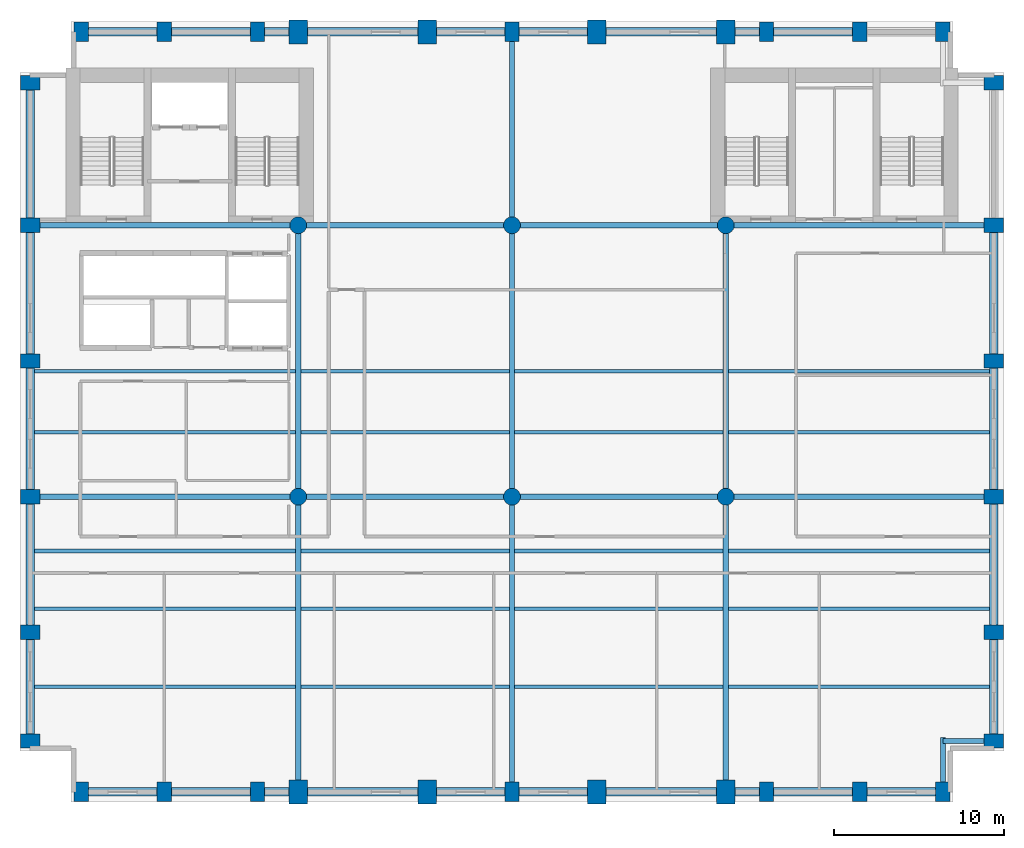
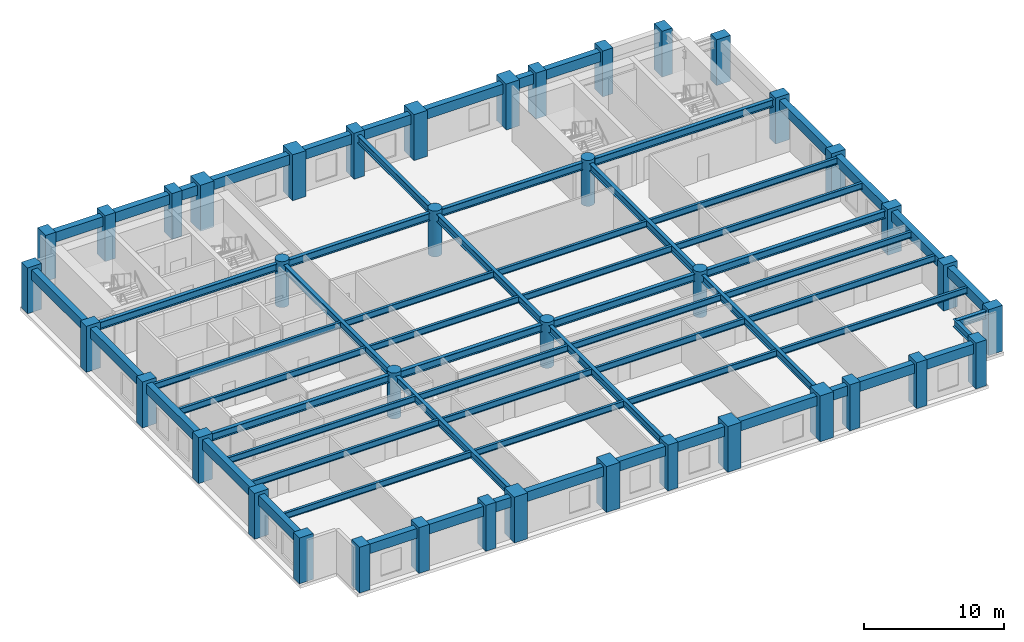
# One storey, part 1 of 8: 65 beams, 40 columns.
"""IFC4 building model written with IfcOpenShell, lengths in metres."""

from ifc_helpers import new_model, si_unit, direction, frame, origin, origin_2d, place, context, subcontext, project, spatial, rectangle, circle, i_section, extrude, material, material_profile, profile_set, type_object, element, save


model = new_model("IFC4")

# Units and contexts
model_context = context("Model", 3, precision=1e-05, world=origin(), true_north=direction((0.0, 1.0)))
body_context = subcontext(model_context, "Body", "Model", "MODEL_VIEW")
ifc_project = project(units=[si_unit("LENGTHUNIT", "METRE"), si_unit("AREAUNIT", "SQUARE_METRE"), si_unit("VOLUMEUNIT", "CUBIC_METRE"), si_unit("PLANEANGLEUNIT", "RADIAN"), si_unit("MASSUNIT", "GRAM", prefix="KILO")], contexts=[model_context])

# Site, building, storey
site_placement = place(None, origin())
site = spatial("IfcSite", under=ifc_project, at=site_placement, CompositionType="ELEMENT")
building_placement = place(site_placement, origin())
building = spatial("IfcBuilding", under=site, at=building_placement, Name="Sulina Concourse Tower", CompositionType="ELEMENT")
storey_placement = place(building_placement, frame((0.0, 0.0, 104.60009765625)))
storey = spatial("IfcBuildingStorey", under=building, at=storey_placement, Name="L25", CompositionType="ELEMENT", Elevation=104.60009765625)

# Columns
ifc_material_1 = material(Name="Concrete C60/75", Category="concrete")
ifc_material_profile_1 = material_profile(ifc_material_1, circle(Radius=0.5, at=origin_2d()), Name="RC D1000")
ifc_profile_set_1 = profile_set([ifc_material_profile_1], Name="Concrete C60/75")
column_type_1 = type_object("IfcColumnType", Name="Lower Interior Circular Column D1000", PredefinedType="COLUMN", material=ifc_profile_set_1)
for number, where, z_axis, x_axis, name in (
    (1, (16.39990234375, 18.0, 0.0), (0.0, 0.0, 1.0), (1.0, 0.0, 0.0), "L25 structural column IC-M-164"),
    (2, (16.39990234375, 34.0, 0.0), (0.0, 0.0, 1.0), (1.0, 0.0, 0.0), "L25 structural column IC-N-164"),
    (3, (29.0, 18.0, 0.0), (0.0, 0.0, 1.0), (1.0, 0.0, 0.0), "L25 structural column IC-M-290"),
    (4, (29.0, 34.0, 0.0), (0.0, 0.0, 1.0), (1.0, 0.0, 0.0), "L25 structural column IC-N-290"),
    (5, (41.60009765625, 18.0, 0.0), (0.0, 0.0, 1.0), (1.0, 0.0, 0.0), "L25 structural column IC-M-416"),
    (6, (41.60009765625, 34.0, 0.0), (0.0, 0.0, 1.0), (1.0, 0.0, 0.0), "L25 structural column IC-N-416"),
):
    element("IfcColumn", number, at=place(storey_placement, frame(where, z_axis=z_axis, x_axis=x_axis)), inside=storey, type_object=column_type_1, Name=name, PredefinedType="COLUMN", context=body_context, shape_type="SweptSolid", body=[
        extrude(circle(Radius=0.5, at=origin_2d()), origin(), (0.0, 0.0, 1.0), 4.0),
    ])
ifc_material_2 = material(Name="Concrete C60/75", Category="concrete")
ifc_material_profile_2 = material_profile(ifc_material_2, rectangle(XDim=1.10009765625, YDim=1.39990234375, at=origin_2d()), Name="RC 1100x1400")
ifc_profile_set_2 = profile_set([ifc_material_profile_2], Name="Concrete C60/75")
column_type_2 = type_object("IfcColumnType", Name="Mid-Rise Portal Column 1100x1400", PredefinedType="COLUMN", material=ifc_profile_set_2)
for number, where, z_axis, x_axis, name in (
    (7, (16.39990234375, 0.60009765625, 0.0), (0.0, 0.0, 1.0), (1.0, 0.0, 0.0), "L25 structural column TP-S-164"),
    (8, (16.39990234375, 45.39990234375, 0.0), (0.0, 0.0, 1.0), (1.0, 0.0, 0.0), "L25 structural column TP-N-164"),
    (9, (24.0, 0.60009765625, 0.0), (0.0, 0.0, 1.0), (1.0, 0.0, 0.0), "L25 structural column TP-S-240"),
    (10, (24.0, 45.39990234375, 0.0), (0.0, 0.0, 1.0), (1.0, 0.0, 0.0), "L25 structural column TP-N-240"),
    (11, (34.0, 0.60009765625, 0.0), (0.0, 0.0, 1.0), (1.0, 0.0, 0.0), "L25 structural column TP-S-340"),
    (12, (34.0, 45.39990234375, 0.0), (0.0, 0.0, 1.0), (1.0, 0.0, 0.0), "L25 structural column TP-N-340"),
    (13, (41.60009765625, 0.60009765625, 0.0), (0.0, 0.0, 1.0), (1.0, 0.0, 0.0), "L25 structural column TP-S-416"),
    (14, (41.60009765625, 45.39990234375, 0.0), (0.0, 0.0, 1.0), (1.0, 0.0, 0.0), "L25 structural column TP-N-416"),
):
    element("IfcColumn", number, at=place(storey_placement, frame(where, z_axis=z_axis, x_axis=x_axis)), inside=storey, type_object=column_type_2, Name=name, PredefinedType="COLUMN", context=body_context, shape_type="SweptSolid", body=[
        extrude(rectangle(XDim=1.10009765625, YDim=1.39990234375, at=origin_2d()), origin(), (0.0, 0.0, 1.0), 4.0),
    ])
ifc_material_3 = material(Name="Precast concrete C60/75", Category="concrete")
ifc_material_profile_3 = material_profile(ifc_material_3, rectangle(XDim=0.85009765625, YDim=1.14990234375, at=origin_2d()), Name="PC 850x1150")
ifc_profile_set_3 = profile_set([ifc_material_profile_3], Name="Precast concrete C60/75")
column_type_3 = type_object("IfcColumnType", Name="Precast Tube Pier Zone 2 850x1150", PredefinedType="COLUMN", material=ifc_profile_set_3)
for number, where, z_axis, x_axis, name in (
    (15, (3.60009765625, 0.60009765625, 0.0), (0.0, 0.0, 1.0), (1.0, 0.0, 0.0), "L25 structural column TP-S-36"),
    (16, (3.60009765625, 45.39990234375, 0.0), (0.0, 0.0, 1.0), (1.0, 0.0, 0.0), "L25 structural column TP-N-36"),
    (17, (8.5, 0.60009765625, 0.0), (0.0, 0.0, 1.0), (1.0, 0.0, 0.0), "L25 structural column TP-S-85"),
    (18, (8.5, 45.39990234375, 0.0), (0.0, 0.0, 1.0), (1.0, 0.0, 0.0), "L25 structural column TP-N-85"),
    (19, (14.0, 0.60009765625, 0.0), (0.0, 0.0, 1.0), (1.0, 0.0, 0.0), "L25 structural column TP-S-140"),
    (20, (14.0, 45.39990234375, 0.0), (0.0, 0.0, 1.0), (1.0, 0.0, 0.0), "L25 structural column TP-N-140"),
    (21, (29.0, 0.60009765625, 0.0), (0.0, 0.0, 1.0), (1.0, 0.0, 0.0), "L25 structural column TP-S-290"),
    (22, (29.0, 45.39990234375, 0.0), (0.0, 0.0, 1.0), (1.0, 0.0, 0.0), "L25 structural column TP-N-290"),
    (23, (44.0, 0.60009765625, 0.0), (0.0, 0.0, 1.0), (1.0, 0.0, 0.0), "L25 structural column TP-S-440"),
    (24, (44.0, 45.39990234375, 0.0), (0.0, 0.0, 1.0), (1.0, 0.0, 0.0), "L25 structural column TP-N-440"),
    (25, (49.5, 0.60009765625, 0.0), (0.0, 0.0, 1.0), (1.0, 0.0, 0.0), "L25 structural column TP-S-495"),
    (26, (49.5, 45.39990234375, 0.0), (0.0, 0.0, 1.0), (1.0, 0.0, 0.0), "L25 structural column TP-N-495"),
    (27, (54.39990234375, 0.60009765625, 0.0), (0.0, 0.0, 1.0), (1.0, 0.0, 0.0), "L25 structural column TP-S-544"),
    (28, (54.39990234375, 45.39990234375, 0.0), (0.0, 0.0, 1.0), (1.0, 0.0, 0.0), "L25 structural column TP-N-544"),
    (29, (0.60009765625, 3.60009765625, 0.0), (0.0, 0.0, 1.0), (0.0, 1.0, 0.0), "L25 structural column TP-W-36"),
    (30, (57.39990234375, 3.60009765625, 0.0), (0.0, 0.0, 1.0), (0.0, 1.0, 0.0), "L25 structural column TP-E-36"),
    (31, (0.60009765625, 10.0, 0.0), (0.0, 0.0, 1.0), (0.0, 1.0, 0.0), "L25 structural column TP-W-100"),
    (32, (57.39990234375, 10.0, 0.0), (0.0, 0.0, 1.0), (0.0, 1.0, 0.0), "L25 structural column TP-E-100"),
    (33, (0.60009765625, 18.0, 0.0), (0.0, 0.0, 1.0), (0.0, 1.0, 0.0), "L25 structural column TP-W-180"),
    (34, (57.39990234375, 18.0, 0.0), (0.0, 0.0, 1.0), (0.0, 1.0, 0.0), "L25 structural column TP-E-180"),
    (35, (0.60009765625, 26.0, 0.0), (0.0, 0.0, 1.0), (0.0, 1.0, 0.0), "L25 structural column TP-W-260"),
    (36, (57.39990234375, 26.0, 0.0), (0.0, 0.0, 1.0), (0.0, 1.0, 0.0), "L25 structural column TP-E-260"),
    (37, (0.60009765625, 34.0, 0.0), (0.0, 0.0, 1.0), (0.0, 1.0, 0.0), "L25 structural column TP-W-340"),
    (38, (57.39990234375, 34.0, 0.0), (0.0, 0.0, 1.0), (0.0, 1.0, 0.0), "L25 structural column TP-E-340"),
    (39, (0.60009765625, 42.39990234375, 0.0), (0.0, 0.0, 1.0), (0.0, 1.0, 0.0), "L25 structural column TP-W-424"),
    (40, (57.39990234375, 42.39990234375, 0.0), (0.0, 0.0, 1.0), (0.0, 1.0, 0.0), "L25 structural column TP-E-424"),
):
    element("IfcColumn", number, at=place(storey_placement, frame(where, z_axis=z_axis, x_axis=x_axis)), inside=storey, type_object=column_type_3, Name=name, PredefinedType="COLUMN", context=body_context, shape_type="SweptSolid", body=[
        extrude(rectangle(XDim=0.85009765625, YDim=1.14990234375, at=origin_2d()), origin(), (0.0, 0.0, 1.0), 4.0),
    ])

# Beams
ifc_material_4 = material(Name="Steel S355", Category="steel")
ifc_material_profile_4 = material_profile(ifc_material_4, i_section(OverallWidth=0.2099609375, OverallDepth=0.550048828125, WebThickness=0.010986328125, FlangeThickness=0.01708984375, at=origin_2d()), Name="IPE 550")
ifc_profile_set_4 = profile_set([ifc_material_profile_4], Name="Steel S355")
beam_type_1 = type_object("IfcBeamType", Name="Composite Floor Joist IPE550", PredefinedType="JOIST", material=ifc_profile_set_4)
beam_1_placement = place(storey_placement, frame((0.85009765625, 6.800048828125, 3.449951171875), z_axis=(1.0, 0.0, 0.0), x_axis=(0.0, 1.0, 0.0)))
element("IfcBeam", 41, at=beam_1_placement, inside=storey, type_object=beam_type_1, Name="FJ-J06-1-L25", PredefinedType="JOIST", context=body_context, shape_type="SweptSolid", body=[
    extrude(i_section(OverallWidth=0.2099609375, OverallDepth=0.550048828125, WebThickness=0.010986328125, FlangeThickness=0.01708984375, at=origin_2d()), origin(), (0.0, 0.0, 1.0), 15.39990234375),
])
for number, where, z_axis, x_axis, name in (
    (42, (16.550048828125, 6.800048828125, 3.449951171875), (1.0, 0.0, 0.0), (0.0, 1.0, 0.0), "FJ-J06-2-L25"),
    (43, (29.14990234375, 6.800048828125, 3.449951171875), (1.0, 0.0, 0.0), (0.0, 1.0, 0.0), "FJ-J06-3-L25"),
):
    element("IfcBeam", number, at=place(storey_placement, frame(where, z_axis=z_axis, x_axis=x_axis)), inside=storey, type_object=beam_type_1, Name=name, PredefinedType="JOIST", context=body_context, shape_type="SweptSolid", body=[
        extrude(i_section(OverallWidth=0.2099609375, OverallDepth=0.550048828125, WebThickness=0.010986328125, FlangeThickness=0.01708984375, at=origin_2d()), origin(), (0.0, 0.0, 1.0), 12.300048828125),
    ])
for number, where, z_axis, x_axis, name in (
    (44, (41.75, 6.800048828125, 3.449951171875), (1.0, 0.0, 0.0), (0.0, 1.0, 0.0), "FJ-J06-4-L25"),
    (45, (0.85009765625, 11.39990234375, 3.449951171875), (1.0, 0.0, 0.0), (0.0, 1.0, 0.0), "FJ-J11-1-L25"),
):
    element("IfcBeam", number, at=place(storey_placement, frame(where, z_axis=z_axis, x_axis=x_axis)), inside=storey, type_object=beam_type_1, Name=name, PredefinedType="JOIST", context=body_context, shape_type="SweptSolid", body=[
        extrude(i_section(OverallWidth=0.2099609375, OverallDepth=0.550048828125, WebThickness=0.010986328125, FlangeThickness=0.01708984375, at=origin_2d()), origin(), (0.0, 0.0, 1.0), 15.39990234375),
    ])
for number, where, z_axis, x_axis, name in (
    (46, (16.550048828125, 11.39990234375, 3.449951171875), (1.0, 0.0, 0.0), (0.0, 1.0, 0.0), "FJ-J11-2-L25"),
    (47, (29.14990234375, 11.39990234375, 3.449951171875), (1.0, 0.0, 0.0), (0.0, 1.0, 0.0), "FJ-J11-3-L25"),
):
    element("IfcBeam", number, at=place(storey_placement, frame(where, z_axis=z_axis, x_axis=x_axis)), inside=storey, type_object=beam_type_1, Name=name, PredefinedType="JOIST", context=body_context, shape_type="SweptSolid", body=[
        extrude(i_section(OverallWidth=0.2099609375, OverallDepth=0.550048828125, WebThickness=0.010986328125, FlangeThickness=0.01708984375, at=origin_2d()), origin(), (0.0, 0.0, 1.0), 12.300048828125),
    ])
for number, where, z_axis, x_axis, name in (
    (48, (41.75, 11.39990234375, 3.449951171875), (1.0, 0.0, 0.0), (0.0, 1.0, 0.0), "FJ-J11-4-L25"),
    (49, (0.85009765625, 14.800048828125, 3.449951171875), (1.0, 0.0, 0.0), (0.0, 1.0, 0.0), "FJ-J15-1-L25"),
):
    element("IfcBeam", number, at=place(storey_placement, frame(where, z_axis=z_axis, x_axis=x_axis)), inside=storey, type_object=beam_type_1, Name=name, PredefinedType="JOIST", context=body_context, shape_type="SweptSolid", body=[
        extrude(i_section(OverallWidth=0.2099609375, OverallDepth=0.550048828125, WebThickness=0.010986328125, FlangeThickness=0.01708984375, at=origin_2d()), origin(), (0.0, 0.0, 1.0), 15.39990234375),
    ])
for number, where, z_axis, x_axis, name in (
    (50, (16.550048828125, 14.800048828125, 3.449951171875), (1.0, 0.0, 0.0), (0.0, 1.0, 0.0), "FJ-J15-2-L25"),
    (51, (29.14990234375, 14.800048828125, 3.449951171875), (1.0, 0.0, 0.0), (0.0, 1.0, 0.0), "FJ-J15-3-L25"),
):
    element("IfcBeam", number, at=place(storey_placement, frame(where, z_axis=z_axis, x_axis=x_axis)), inside=storey, type_object=beam_type_1, Name=name, PredefinedType="JOIST", context=body_context, shape_type="SweptSolid", body=[
        extrude(i_section(OverallWidth=0.2099609375, OverallDepth=0.550048828125, WebThickness=0.010986328125, FlangeThickness=0.01708984375, at=origin_2d()), origin(), (0.0, 0.0, 1.0), 12.300048828125),
    ])
for number, where, z_axis, x_axis, name in (
    (52, (41.75, 14.800048828125, 3.449951171875), (1.0, 0.0, 0.0), (0.0, 1.0, 0.0), "FJ-J15-4-L25"),
    (53, (0.85009765625, 21.800048828125, 3.449951171875), (1.0, 0.0, 0.0), (0.0, 1.0, 0.0), "FJ-J22-1-L25"),
):
    element("IfcBeam", number, at=place(storey_placement, frame(where, z_axis=z_axis, x_axis=x_axis)), inside=storey, type_object=beam_type_1, Name=name, PredefinedType="JOIST", context=body_context, shape_type="SweptSolid", body=[
        extrude(i_section(OverallWidth=0.2099609375, OverallDepth=0.550048828125, WebThickness=0.010986328125, FlangeThickness=0.01708984375, at=origin_2d()), origin(), (0.0, 0.0, 1.0), 15.39990234375),
    ])
for number, where, z_axis, x_axis, name in (
    (54, (16.550048828125, 21.800048828125, 3.449951171875), (1.0, 0.0, 0.0), (0.0, 1.0, 0.0), "FJ-J22-2-L25"),
    (55, (29.14990234375, 21.800048828125, 3.449951171875), (1.0, 0.0, 0.0), (0.0, 1.0, 0.0), "FJ-J22-3-L25"),
):
    element("IfcBeam", number, at=place(storey_placement, frame(where, z_axis=z_axis, x_axis=x_axis)), inside=storey, type_object=beam_type_1, Name=name, PredefinedType="JOIST", context=body_context, shape_type="SweptSolid", body=[
        extrude(i_section(OverallWidth=0.2099609375, OverallDepth=0.550048828125, WebThickness=0.010986328125, FlangeThickness=0.01708984375, at=origin_2d()), origin(), (0.0, 0.0, 1.0), 12.300048828125),
    ])
for number, where, z_axis, x_axis, name in (
    (56, (41.75, 21.800048828125, 3.449951171875), (1.0, 0.0, 0.0), (0.0, 1.0, 0.0), "FJ-J22-4-L25"),
    (57, (0.85009765625, 25.39990234375, 3.449951171875), (1.0, 0.0, 0.0), (0.0, 1.0, 0.0), "FJ-J25-1-L25"),
):
    element("IfcBeam", number, at=place(storey_placement, frame(where, z_axis=z_axis, x_axis=x_axis)), inside=storey, type_object=beam_type_1, Name=name, PredefinedType="JOIST", context=body_context, shape_type="SweptSolid", body=[
        extrude(i_section(OverallWidth=0.2099609375, OverallDepth=0.550048828125, WebThickness=0.010986328125, FlangeThickness=0.01708984375, at=origin_2d()), origin(), (0.0, 0.0, 1.0), 15.39990234375),
    ])
for number, where, z_axis, x_axis, name in (
    (58, (16.550048828125, 25.39990234375, 3.449951171875), (1.0, 0.0, 0.0), (0.0, 1.0, 0.0), "FJ-J25-2-L25"),
    (59, (29.14990234375, 25.39990234375, 3.449951171875), (1.0, 0.0, 0.0), (0.0, 1.0, 0.0), "FJ-J25-3-L25"),
):
    element("IfcBeam", number, at=place(storey_placement, frame(where, z_axis=z_axis, x_axis=x_axis)), inside=storey, type_object=beam_type_1, Name=name, PredefinedType="JOIST", context=body_context, shape_type="SweptSolid", body=[
        extrude(i_section(OverallWidth=0.2099609375, OverallDepth=0.550048828125, WebThickness=0.010986328125, FlangeThickness=0.01708984375, at=origin_2d()), origin(), (0.0, 0.0, 1.0), 12.300048828125),
    ])
beam_2_placement = place(storey_placement, frame((41.75, 25.39990234375, 3.449951171875), z_axis=(1.0, 0.0, 0.0), x_axis=(0.0, 1.0, 0.0)))
element("IfcBeam", 60, at=beam_2_placement, inside=storey, type_object=beam_type_1, Name="FJ-J25-4-L25", PredefinedType="JOIST", context=body_context, shape_type="SweptSolid", body=[
    extrude(i_section(OverallWidth=0.2099609375, OverallDepth=0.550048828125, WebThickness=0.010986328125, FlangeThickness=0.01708984375, at=origin_2d()), origin(), (0.0, 0.0, 1.0), 15.39990234375),
])
ifc_material_5 = material(Name="Steel S355", Category="steel")
ifc_material_profile_5 = material_profile(ifc_material_5, i_section(OverallWidth=0.300048828125, OverallDepth=0.64990234375, WebThickness=0.01611328125, FlangeThickness=0.031005859375, at=origin_2d()), Name="HE 650 B")
ifc_profile_set_5 = profile_set([ifc_material_profile_5], Name="Steel S355")
beam_type_2 = type_object("IfcBeamType", Name="Floor Primary Girder Zone 2 HE650B", PredefinedType="BEAM", material=ifc_profile_set_5)
beam_3_placement = place(storey_placement, frame((54.39990234375, 3.60009765625, 3.39990234375), z_axis=(1.0, 0.0, 0.0), x_axis=(0.0, 1.0, 0.0)))
element("IfcBeam", 61, at=beam_3_placement, inside=storey, type_object=beam_type_2, Name="TIE-SE-L25", PredefinedType="BEAM", context=body_context, shape_type="SweptSolid", body=[
    extrude(i_section(OverallWidth=0.300048828125, OverallDepth=0.64990234375, WebThickness=0.01611328125, FlangeThickness=0.031005859375, at=origin_2d()), origin(), (0.0, 0.0, 1.0), 2.59521484375),
])
beam_4_placement = place(storey_placement, frame((54.39990234375, 1.0048828125, 3.39990234375), z_axis=(0.0, 1.0, 0.0), x_axis=(-1.0, 0.0, 0.0)))
element("IfcBeam", 62, at=beam_4_placement, inside=storey, type_object=beam_type_2, Name="TIE-SES-L25", PredefinedType="BEAM", context=body_context, shape_type="SweptSolid", body=[
    extrude(i_section(OverallWidth=0.300048828125, OverallDepth=0.64990234375, WebThickness=0.01611328125, FlangeThickness=0.031005859375, at=origin_2d()), origin(), (0.0, 0.0, 1.0), 2.795166015625),
])
beam_5_placement = place(storey_placement, frame((1.0048828125, 18.0, 3.39990234375), z_axis=(1.0, 0.0, 0.0), x_axis=(0.0, 1.0, 0.0)))
element("IfcBeam", 63, at=beam_5_placement, inside=storey, type_object=beam_type_2, Name="FG-EW1-L25", PredefinedType="BEAM", context=body_context, shape_type="SweptSolid", body=[
    extrude(i_section(OverallWidth=0.300048828125, OverallDepth=0.64990234375, WebThickness=0.01611328125, FlangeThickness=0.031005859375, at=origin_2d()), origin(), (0.0, 0.0, 1.0), 14.9150390625),
])
for number, where, z_axis, x_axis, name in (
    (64, (16.8798828125, 18.0, 3.39990234375), (1.0, 0.0, 0.0), (0.0, 1.0, 0.0), "FG-EW2-L25"),
    (65, (29.47998046875, 18.0, 3.39990234375), (1.0, 0.0, 0.0), (0.0, 1.0, 0.0), "FG-EW3-L25"),
):
    element("IfcBeam", number, at=place(storey_placement, frame(where, z_axis=z_axis, x_axis=x_axis)), inside=storey, type_object=beam_type_2, Name=name, PredefinedType="BEAM", context=body_context, shape_type="SweptSolid", body=[
        extrude(i_section(OverallWidth=0.300048828125, OverallDepth=0.64990234375, WebThickness=0.01611328125, FlangeThickness=0.031005859375, at=origin_2d()), origin(), (0.0, 0.0, 1.0), 11.64013671875),
    ])
for number, where, z_axis, x_axis, name in (
    (66, (42.080078125, 18.0, 3.39990234375), (1.0, 0.0, 0.0), (0.0, 1.0, 0.0), "FG-EW4-L25"),
    (67, (1.0048828125, 34.0, 3.39990234375), (1.0, 0.0, 0.0), (0.0, 1.0, 0.0), "FG-EWN1-L25"),
):
    element("IfcBeam", number, at=place(storey_placement, frame(where, z_axis=z_axis, x_axis=x_axis)), inside=storey, type_object=beam_type_2, Name=name, PredefinedType="BEAM", context=body_context, shape_type="SweptSolid", body=[
        extrude(i_section(OverallWidth=0.300048828125, OverallDepth=0.64990234375, WebThickness=0.01611328125, FlangeThickness=0.031005859375, at=origin_2d()), origin(), (0.0, 0.0, 1.0), 14.9150390625),
    ])
for number, where, z_axis, x_axis, name in (
    (68, (16.8798828125, 34.0, 3.39990234375), (1.0, 0.0, 0.0), (0.0, 1.0, 0.0), "FG-EWN2-L25"),
    (69, (29.47998046875, 34.0, 3.39990234375), (1.0, 0.0, 0.0), (0.0, 1.0, 0.0), "FG-EWN3-L25"),
):
    element("IfcBeam", number, at=place(storey_placement, frame(where, z_axis=z_axis, x_axis=x_axis)), inside=storey, type_object=beam_type_2, Name=name, PredefinedType="BEAM", context=body_context, shape_type="SweptSolid", body=[
        extrude(i_section(OverallWidth=0.300048828125, OverallDepth=0.64990234375, WebThickness=0.01611328125, FlangeThickness=0.031005859375, at=origin_2d()), origin(), (0.0, 0.0, 1.0), 11.64013671875),
    ])
beam_6_placement = place(storey_placement, frame((42.080078125, 34.0, 3.39990234375), z_axis=(1.0, 0.0, 0.0), x_axis=(0.0, 1.0, 0.0)))
element("IfcBeam", 70, at=beam_6_placement, inside=storey, type_object=beam_type_2, Name="FG-EWN4-L25", PredefinedType="BEAM", context=body_context, shape_type="SweptSolid", body=[
    extrude(i_section(OverallWidth=0.300048828125, OverallDepth=0.64990234375, WebThickness=0.01611328125, FlangeThickness=0.031005859375, at=origin_2d()), origin(), (0.0, 0.0, 1.0), 14.9150390625),
])
beam_7_placement = place(storey_placement, frame((16.39990234375, 1.1298828125, 3.39990234375), z_axis=(0.0, 1.0, 0.0), x_axis=(-1.0, 0.0, 0.0)))
element("IfcBeam", 71, at=beam_7_placement, inside=storey, type_object=beam_type_2, Name="FG-NSA-16-L25", PredefinedType="BEAM", context=body_context, shape_type="SweptSolid", body=[
    extrude(i_section(OverallWidth=0.300048828125, OverallDepth=0.64990234375, WebThickness=0.01611328125, FlangeThickness=0.031005859375, at=origin_2d()), origin(), (0.0, 0.0, 1.0), 16.39013671875),
])
beam_8_placement = place(storey_placement, frame((16.39990234375, 18.47998046875, 3.39990234375), z_axis=(0.0, 1.0, 0.0), x_axis=(-1.0, 0.0, 0.0)))
element("IfcBeam", 72, at=beam_8_placement, inside=storey, type_object=beam_type_2, Name="FG-NSB-16-L25", PredefinedType="BEAM", context=body_context, shape_type="SweptSolid", body=[
    extrude(i_section(OverallWidth=0.300048828125, OverallDepth=0.64990234375, WebThickness=0.01611328125, FlangeThickness=0.031005859375, at=origin_2d()), origin(), (0.0, 0.0, 1.0), 15.0400390625),
])
beam_9_placement = place(storey_placement, frame((29.0, 1.0048828125, 3.39990234375), z_axis=(0.0, 1.0, 0.0), x_axis=(-1.0, 0.0, 0.0)))
element("IfcBeam", 73, at=beam_9_placement, inside=storey, type_object=beam_type_2, Name="FG-NSA-29-L25", PredefinedType="BEAM", context=body_context, shape_type="SweptSolid", body=[
    extrude(i_section(OverallWidth=0.300048828125, OverallDepth=0.64990234375, WebThickness=0.01611328125, FlangeThickness=0.031005859375, at=origin_2d()), origin(), (0.0, 0.0, 1.0), 16.51513671875),
])
beam_10_placement = place(storey_placement, frame((29.0, 18.47998046875, 3.39990234375), z_axis=(0.0, 1.0, 0.0), x_axis=(-1.0, 0.0, 0.0)))
element("IfcBeam", 74, at=beam_10_placement, inside=storey, type_object=beam_type_2, Name="FG-NSB-29-L25", PredefinedType="BEAM", context=body_context, shape_type="SweptSolid", body=[
    extrude(i_section(OverallWidth=0.300048828125, OverallDepth=0.64990234375, WebThickness=0.01611328125, FlangeThickness=0.031005859375, at=origin_2d()), origin(), (0.0, 0.0, 1.0), 15.0400390625),
])
beam_11_placement = place(storey_placement, frame((29.0, 34.47998046875, 3.39990234375), z_axis=(0.0, 1.0, 0.0), x_axis=(-1.0, 0.0, 0.0)))
element("IfcBeam", 75, at=beam_11_placement, inside=storey, type_object=beam_type_2, Name="FG-NSC-29-L25", PredefinedType="BEAM", context=body_context, shape_type="SweptSolid", body=[
    extrude(i_section(OverallWidth=0.300048828125, OverallDepth=0.64990234375, WebThickness=0.01611328125, FlangeThickness=0.031005859375, at=origin_2d()), origin(), (0.0, 0.0, 1.0), 10.51513671875),
])
beam_12_placement = place(storey_placement, frame((41.60009765625, 1.1298828125, 3.39990234375), z_axis=(0.0, 1.0, 0.0), x_axis=(-1.0, 0.0, 0.0)))
element("IfcBeam", 76, at=beam_12_placement, inside=storey, type_object=beam_type_2, Name="FG-NSA-41-L25", PredefinedType="BEAM", context=body_context, shape_type="SweptSolid", body=[
    extrude(i_section(OverallWidth=0.300048828125, OverallDepth=0.64990234375, WebThickness=0.01611328125, FlangeThickness=0.031005859375, at=origin_2d()), origin(), (0.0, 0.0, 1.0), 16.39013671875),
])
beam_13_placement = place(storey_placement, frame((41.60009765625, 18.47998046875, 3.39990234375), z_axis=(0.0, 1.0, 0.0), x_axis=(-1.0, 0.0, 0.0)))
element("IfcBeam", 77, at=beam_13_placement, inside=storey, type_object=beam_type_2, Name="FG-NSB-41-L25", PredefinedType="BEAM", context=body_context, shape_type="SweptSolid", body=[
    extrude(i_section(OverallWidth=0.300048828125, OverallDepth=0.64990234375, WebThickness=0.01611328125, FlangeThickness=0.031005859375, at=origin_2d()), origin(), (0.0, 0.0, 1.0), 15.0400390625),
])
ifc_material_6 = material(Name="Precast concrete C50/60", Category="concrete")
ifc_material_profile_6 = material_profile(ifc_material_6, rectangle(XDim=0.5, YDim=0.85009765625, at=origin_2d()), Name="RC 500x850")
ifc_profile_set_6 = profile_set([ifc_material_profile_6], Name="Precast concrete C50/60")
beam_type_3 = type_object("IfcBeamType", Name="Lower Precast Spandrel Edge Beam 500x850", PredefinedType="BEAM", material=ifc_profile_set_6)
beam_14_placement = place(storey_placement, frame((4.0048828125, 0.60009765625, 3.2998046875), z_axis=(1.0, 0.0, 0.0), x_axis=(0.0, 1.0, 0.0)))
element("IfcBeam", 78, at=beam_14_placement, inside=storey, type_object=beam_type_3, Name="SP-S1-L25", PredefinedType="BEAM", context=body_context, shape_type="SweptSolid", body=[
    extrude(rectangle(XDim=0.5, YDim=0.85009765625, at=origin_2d()), origin(), (0.0, 0.0, 1.0), 4.090087890625),
])
beam_15_placement = place(storey_placement, frame((8.905029296875, 0.60009765625, 3.2998046875), z_axis=(1.0, 0.0, 0.0), x_axis=(0.0, 1.0, 0.0)))
element("IfcBeam", 79, at=beam_15_placement, inside=storey, type_object=beam_type_3, Name="SP-S2-L25", PredefinedType="BEAM", context=body_context, shape_type="SweptSolid", body=[
    extrude(rectangle(XDim=0.5, YDim=0.85009765625, at=origin_2d()), origin(), (0.0, 0.0, 1.0), 4.68994140625),
])
beam_16_placement = place(storey_placement, frame((14.405029296875, 0.60009765625, 3.2998046875), z_axis=(1.0, 0.0, 0.0), x_axis=(0.0, 1.0, 0.0)))
element("IfcBeam", 80, at=beam_16_placement, inside=storey, type_object=beam_type_3, Name="SP-S3-L25", PredefinedType="BEAM", context=body_context, shape_type="SweptSolid", body=[
    extrude(rectangle(XDim=0.5, YDim=0.85009765625, at=origin_2d()), origin(), (0.0, 0.0, 1.0), 1.465087890625),
])
beam_17_placement = place(storey_placement, frame((16.929931640625, 0.60009765625, 3.2998046875), z_axis=(1.0, 0.0, 0.0), x_axis=(0.0, 1.0, 0.0)))
element("IfcBeam", 81, at=beam_17_placement, inside=storey, type_object=beam_type_3, Name="SP-S4-L25", PredefinedType="BEAM", context=body_context, shape_type="SweptSolid", body=[
    extrude(rectangle(XDim=0.5, YDim=0.85009765625, at=origin_2d()), origin(), (0.0, 0.0, 1.0), 6.5400390625),
])
for number, where, z_axis, x_axis, name in (
    (82, (24.530029296875, 0.60009765625, 3.2998046875), (1.0, 0.0, 0.0), (0.0, 1.0, 0.0), "SP-S5-L25"),
    (83, (29.405029296875, 0.60009765625, 3.2998046875), (1.0, 0.0, 0.0), (0.0, 1.0, 0.0), "SP-S6-L25"),
):
    element("IfcBeam", number, at=place(storey_placement, frame(where, z_axis=z_axis, x_axis=x_axis)), inside=storey, type_object=beam_type_3, Name=name, PredefinedType="BEAM", context=body_context, shape_type="SweptSolid", body=[
        extrude(rectangle(XDim=0.5, YDim=0.85009765625, at=origin_2d()), origin(), (0.0, 0.0, 1.0), 4.06494140625),
    ])
beam_18_placement = place(storey_placement, frame((34.530029296875, 0.60009765625, 3.2998046875), z_axis=(1.0, 0.0, 0.0), x_axis=(0.0, 1.0, 0.0)))
element("IfcBeam", 84, at=beam_18_placement, inside=storey, type_object=beam_type_3, Name="SP-S7-L25", PredefinedType="BEAM", context=body_context, shape_type="SweptSolid", body=[
    extrude(rectangle(XDim=0.5, YDim=0.85009765625, at=origin_2d()), origin(), (0.0, 0.0, 1.0), 6.5400390625),
])
beam_19_placement = place(storey_placement, frame((42.1298828125, 0.60009765625, 3.2998046875), z_axis=(1.0, 0.0, 0.0), x_axis=(0.0, 1.0, 0.0)))
element("IfcBeam", 85, at=beam_19_placement, inside=storey, type_object=beam_type_3, Name="SP-S8-L25", PredefinedType="BEAM", context=body_context, shape_type="SweptSolid", body=[
    extrude(rectangle(XDim=0.5, YDim=0.85009765625, at=origin_2d()), origin(), (0.0, 0.0, 1.0), 1.465087890625),
])
beam_20_placement = place(storey_placement, frame((44.405029296875, 0.60009765625, 3.2998046875), z_axis=(1.0, 0.0, 0.0), x_axis=(0.0, 1.0, 0.0)))
element("IfcBeam", 86, at=beam_20_placement, inside=storey, type_object=beam_type_3, Name="SP-S9-L25", PredefinedType="BEAM", context=body_context, shape_type="SweptSolid", body=[
    extrude(rectangle(XDim=0.5, YDim=0.85009765625, at=origin_2d()), origin(), (0.0, 0.0, 1.0), 4.68994140625),
])
for number, where, z_axis, x_axis, name in (
    (87, (49.905029296875, 0.60009765625, 3.2998046875), (1.0, 0.0, 0.0), (0.0, 1.0, 0.0), "SP-S10-L25"),
    (88, (4.0048828125, 45.39990234375, 3.2998046875), (1.0, 0.0, 0.0), (0.0, 1.0, 0.0), "SP-N1-L25"),
):
    element("IfcBeam", number, at=place(storey_placement, frame(where, z_axis=z_axis, x_axis=x_axis)), inside=storey, type_object=beam_type_3, Name=name, PredefinedType="BEAM", context=body_context, shape_type="SweptSolid", body=[
        extrude(rectangle(XDim=0.5, YDim=0.85009765625, at=origin_2d()), origin(), (0.0, 0.0, 1.0), 4.090087890625),
    ])
beam_21_placement = place(storey_placement, frame((8.905029296875, 45.39990234375, 3.2998046875), z_axis=(1.0, 0.0, 0.0), x_axis=(0.0, 1.0, 0.0)))
element("IfcBeam", 89, at=beam_21_placement, inside=storey, type_object=beam_type_3, Name="SP-N2-L25", PredefinedType="BEAM", context=body_context, shape_type="SweptSolid", body=[
    extrude(rectangle(XDim=0.5, YDim=0.85009765625, at=origin_2d()), origin(), (0.0, 0.0, 1.0), 4.68994140625),
])
beam_22_placement = place(storey_placement, frame((14.405029296875, 45.39990234375, 3.2998046875), z_axis=(1.0, 0.0, 0.0), x_axis=(0.0, 1.0, 0.0)))
element("IfcBeam", 90, at=beam_22_placement, inside=storey, type_object=beam_type_3, Name="SP-N3-L25", PredefinedType="BEAM", context=body_context, shape_type="SweptSolid", body=[
    extrude(rectangle(XDim=0.5, YDim=0.85009765625, at=origin_2d()), origin(), (0.0, 0.0, 1.0), 1.465087890625),
])
beam_23_placement = place(storey_placement, frame((16.929931640625, 45.39990234375, 3.2998046875), z_axis=(1.0, 0.0, 0.0), x_axis=(0.0, 1.0, 0.0)))
element("IfcBeam", 91, at=beam_23_placement, inside=storey, type_object=beam_type_3, Name="SP-N4-L25", PredefinedType="BEAM", context=body_context, shape_type="SweptSolid", body=[
    extrude(rectangle(XDim=0.5, YDim=0.85009765625, at=origin_2d()), origin(), (0.0, 0.0, 1.0), 6.5400390625),
])
for number, where, z_axis, x_axis, name in (
    (92, (24.530029296875, 45.39990234375, 3.2998046875), (1.0, 0.0, 0.0), (0.0, 1.0, 0.0), "SP-N5-L25"),
    (93, (29.405029296875, 45.39990234375, 3.2998046875), (1.0, 0.0, 0.0), (0.0, 1.0, 0.0), "SP-N6-L25"),
):
    element("IfcBeam", number, at=place(storey_placement, frame(where, z_axis=z_axis, x_axis=x_axis)), inside=storey, type_object=beam_type_3, Name=name, PredefinedType="BEAM", context=body_context, shape_type="SweptSolid", body=[
        extrude(rectangle(XDim=0.5, YDim=0.85009765625, at=origin_2d()), origin(), (0.0, 0.0, 1.0), 4.06494140625),
    ])
beam_24_placement = place(storey_placement, frame((34.530029296875, 45.39990234375, 3.2998046875), z_axis=(1.0, 0.0, 0.0), x_axis=(0.0, 1.0, 0.0)))
element("IfcBeam", 94, at=beam_24_placement, inside=storey, type_object=beam_type_3, Name="SP-N7-L25", PredefinedType="BEAM", context=body_context, shape_type="SweptSolid", body=[
    extrude(rectangle(XDim=0.5, YDim=0.85009765625, at=origin_2d()), origin(), (0.0, 0.0, 1.0), 6.5400390625),
])
beam_25_placement = place(storey_placement, frame((42.1298828125, 45.39990234375, 3.2998046875), z_axis=(1.0, 0.0, 0.0), x_axis=(0.0, 1.0, 0.0)))
element("IfcBeam", 95, at=beam_25_placement, inside=storey, type_object=beam_type_3, Name="SP-N8-L25", PredefinedType="BEAM", context=body_context, shape_type="SweptSolid", body=[
    extrude(rectangle(XDim=0.5, YDim=0.85009765625, at=origin_2d()), origin(), (0.0, 0.0, 1.0), 1.465087890625),
])
beam_26_placement = place(storey_placement, frame((44.405029296875, 45.39990234375, 3.2998046875), z_axis=(1.0, 0.0, 0.0), x_axis=(0.0, 1.0, 0.0)))
element("IfcBeam", 96, at=beam_26_placement, inside=storey, type_object=beam_type_3, Name="SP-N9-L25", PredefinedType="BEAM", context=body_context, shape_type="SweptSolid", body=[
    extrude(rectangle(XDim=0.5, YDim=0.85009765625, at=origin_2d()), origin(), (0.0, 0.0, 1.0), 4.68994140625),
])
beam_27_placement = place(storey_placement, frame((0.60009765625, 4.0048828125, 3.2998046875), z_axis=(0.0, 1.0, 0.0), x_axis=(-1.0, 0.0, 0.0)))
element("IfcBeam", 97, at=beam_27_placement, inside=storey, type_object=beam_type_3, Name="SP-W1-L25", PredefinedType="BEAM", context=body_context, shape_type="SweptSolid", body=[
    extrude(rectangle(XDim=0.5, YDim=0.85009765625, at=origin_2d()), origin(), (0.0, 0.0, 1.0), 5.590087890625),
])
for number, where, z_axis, x_axis, name in (
    (98, (0.60009765625, 10.405029296875, 3.2998046875), (0.0, 1.0, 0.0), (-1.0, 0.0, 0.0), "SP-W2-L25"),
    (99, (0.60009765625, 18.405029296875, 3.2998046875), (0.0, 1.0, 0.0), (-1.0, 0.0, 0.0), "SP-W3-L25"),
    (100, (0.60009765625, 26.405029296875, 3.2998046875), (0.0, 1.0, 0.0), (-1.0, 0.0, 0.0), "SP-W4-L25"),
):
    element("IfcBeam", number, at=place(storey_placement, frame(where, z_axis=z_axis, x_axis=x_axis)), inside=storey, type_object=beam_type_3, Name=name, PredefinedType="BEAM", context=body_context, shape_type="SweptSolid", body=[
        extrude(rectangle(XDim=0.5, YDim=0.85009765625, at=origin_2d()), origin(), (0.0, 0.0, 1.0), 7.18994140625),
    ])
beam_28_placement = place(storey_placement, frame((0.60009765625, 34.405029296875, 3.2998046875), z_axis=(0.0, 1.0, 0.0), x_axis=(-1.0, 0.0, 0.0)))
element("IfcBeam", 101, at=beam_28_placement, inside=storey, type_object=beam_type_3, Name="SP-W5-L25", PredefinedType="BEAM", context=body_context, shape_type="SweptSolid", body=[
    extrude(rectangle(XDim=0.5, YDim=0.85009765625, at=origin_2d()), origin(), (0.0, 0.0, 1.0), 7.590087890625),
])
beam_29_placement = place(storey_placement, frame((57.39990234375, 4.0048828125, 3.2998046875), z_axis=(0.0, 1.0, 0.0), x_axis=(-1.0, 0.0, 0.0)))
element("IfcBeam", 102, at=beam_29_placement, inside=storey, type_object=beam_type_3, Name="SP-E1-L25", PredefinedType="BEAM", context=body_context, shape_type="SweptSolid", body=[
    extrude(rectangle(XDim=0.5, YDim=0.85009765625, at=origin_2d()), origin(), (0.0, 0.0, 1.0), 5.590087890625),
])
for number, where, z_axis, x_axis, name in (
    (103, (57.39990234375, 10.405029296875, 3.2998046875), (0.0, 1.0, 0.0), (-1.0, 0.0, 0.0), "SP-E2-L25"),
    (104, (57.39990234375, 18.405029296875, 3.2998046875), (0.0, 1.0, 0.0), (-1.0, 0.0, 0.0), "SP-E3-L25"),
    (105, (57.39990234375, 26.405029296875, 3.2998046875), (0.0, 1.0, 0.0), (-1.0, 0.0, 0.0), "SP-E4-L25"),
):
    element("IfcBeam", number, at=place(storey_placement, frame(where, z_axis=z_axis, x_axis=x_axis)), inside=storey, type_object=beam_type_3, Name=name, PredefinedType="BEAM", context=body_context, shape_type="SweptSolid", body=[
        extrude(rectangle(XDim=0.5, YDim=0.85009765625, at=origin_2d()), origin(), (0.0, 0.0, 1.0), 7.18994140625),
    ])

save(model, "model.ifc")
